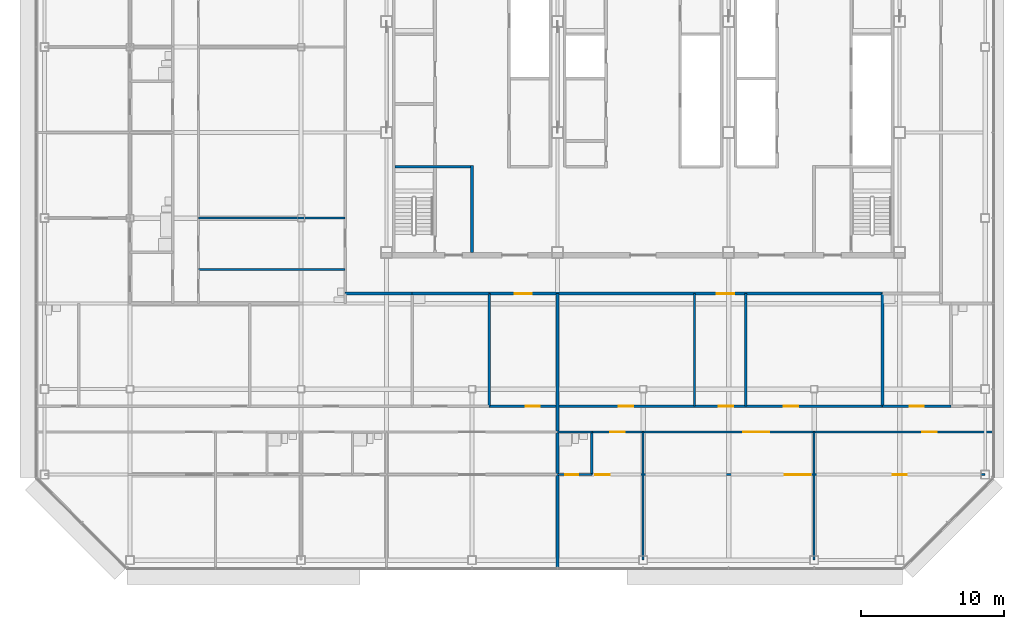
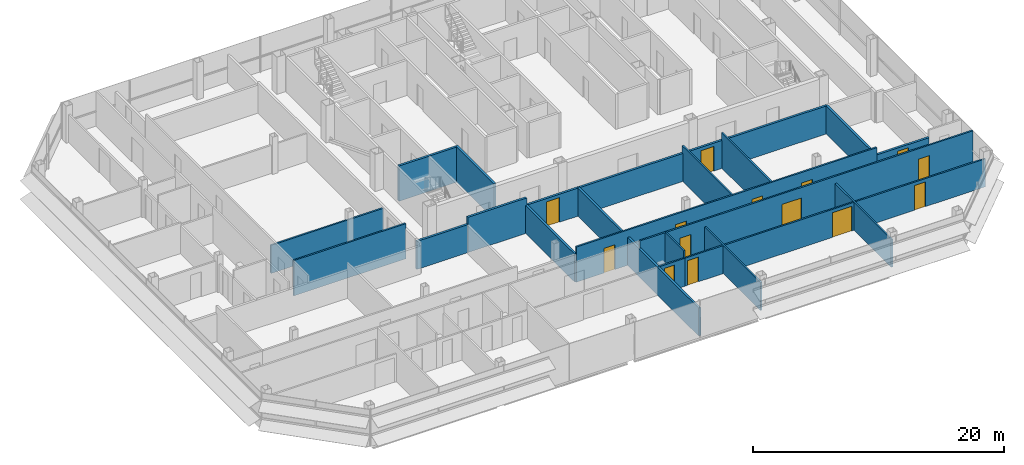
# One storey, part 21 of 27: 21 walls, 14 doors, 14 openings.
"""IFC4 building model written with IfcOpenShell, lengths in metres."""

from ifc_helpers import new_model, si_unit, direction, frame, frame_2d, origin, place, context, subcontext, project, spatial, rectangle, extrude, material, layer, layer_set, type_object, element, fill, save


model = new_model("IFC4")

# Units and contexts
model_context = context("Model", 3, precision=1e-05, world=origin(), true_north=direction((0.0, 1.0)))
body_context = subcontext(model_context, "Body", "Model", "MODEL_VIEW")
ifc_project = project(units=[si_unit("LENGTHUNIT", "METRE"), si_unit("AREAUNIT", "SQUARE_METRE"), si_unit("VOLUMEUNIT", "CUBIC_METRE"), si_unit("PLANEANGLEUNIT", "RADIAN"), si_unit("MASSUNIT", "GRAM", prefix="KILO")], contexts=[model_context])

# Site, building, storey
site_placement = place(None, origin())
site = spatial("IfcSite", under=ifc_project, at=site_placement, CompositionType="ELEMENT")
building_placement = place(site_placement, origin())
building = spatial("IfcBuilding", under=site, at=building_placement, Name="Sorahane Residences", CompositionType="ELEMENT")
storey_placement = place(building_placement, frame((0.0, 0.0, 294.39990234375)))
storey = spatial("IfcBuildingStorey", under=building, at=storey_placement, Name="L69", CompositionType="ELEMENT", Elevation=294.39990234375)

# Wall
ifc_material_1 = material(Name="Concrete blockwork C20 wall", Category="masonry")
ifc_layer_1 = layer(ifc_material_1, 0.199951171875)
ifc_layer_set_1 = layer_set([ifc_layer_1], Name="Corridor wall 200 EI 120")
wall_type_1 = type_object("IfcWallType", Name="Corridor wall 200 EI 120", PredefinedType="SOLIDWALL", material=ifc_layer_set_1)
wall_1_placement = place(storey_placement, frame((3.10009765625, 18.699951171875, 0.0), z_axis=(0.0, 0.0, 1.0), x_axis=(1.0, 0.0, 0.0)))
element("IfcWall", 1, at=wall_1_placement, inside=storey, type_object=wall_type_1, Name="L69 corridor wall", PredefinedType="SOLIDWALL", context=body_context, shape_type="SweptSolid", body=[
    extrude(rectangle(XDim=4.699951171875, YDim=0.199951171875, at=frame_2d((2.35009765625, 0.0))), origin(), (0.0, 0.0, 1.0), 2.72021484375),
])

# Wall, openings, doors
wall_2_placement = place(storey_placement, frame((13.199951171875, 18.699951171875, 0.0), z_axis=(0.0, 0.0, 1.0), x_axis=(1.0, 0.0, 0.0)))
wall_2 = element("IfcWall", 2, at=wall_2_placement, inside=storey, type_object=wall_type_1, Name="L69 corridor wall", PredefinedType="SOLIDWALL", context=body_context, shape_type="SweptSolid", body=[
    extrude(rectangle(XDim=27.60009765625, YDim=0.199951171875, at=frame_2d((13.800048828125, 0.0))), origin(), (0.0, 0.0, 1.0), 2.72021484375),
])
opening_1_placement = place(wall_2_placement, frame((1.800048828125, 0.0, 0.0)))
opening_1 = element("IfcOpeningElement", 3, at=opening_1_placement, cuts=wall_2, Name="Opening L69-42", PredefinedType="OPENING", context=body_context, shape_type="SweptSolid", body=[
    extrude(rectangle(XDim=1.199951171875, YDim=2.39990234375, at=frame_2d((0.60009765625, 1.199951171875))), frame((0.0, 0.10986328125, 0.0), z_axis=(0.0, -1.0, 0.0), x_axis=(1.0, 0.0, 0.0)), (0.0, 0.0, 1.0), 0.219970703125),
])
opening_2_placement = place(wall_2_placement, frame((15.97998046875, 0.0, 0.0)))
opening_2 = element("IfcOpeningElement", 4, at=opening_2_placement, cuts=wall_2, Name="Opening L69-43", PredefinedType="OPENING", context=body_context, shape_type="SweptSolid", body=[
    extrude(rectangle(XDim=1.199951171875, YDim=2.39990234375, at=frame_2d((0.60009765625, 1.199951171875))), frame((0.0, 0.10986328125, 0.0), z_axis=(0.0, -1.0, 0.0), x_axis=(1.0, 0.0, 0.0)), (0.0, 0.0, 1.0), 0.219970703125),
])
ifc_material_2 = material(Name="Timber veneered fire door", Category="wood")
door_type_1 = type_object("IfcDoorType", Name="Flat entrance door 1200x2400 FD60", OperationType="NOTDEFINED", PredefinedType="DOOR", material=ifc_material_2)
door_1_placement = place(opening_1_placement, frame((1.199951171875, 0.0, 0.0), z_axis=(0.0, 0.0, 1.0), x_axis=(-1.0, 0.0, 0.0)))
door_1 = element("IfcDoor", 5, at=door_1_placement, inside=storey, type_object=door_type_1, Name="Flat entrance door L69-42", OperationType="SINGLE_SWING_LEFT", OverallHeight=2.39990234375, OverallWidth=1.199951171875, PredefinedType="DOOR", context=body_context, shape_type="SweptSolid", body=[
    extrude(rectangle(XDim=1.199951171875, YDim=2.39990234375, at=frame_2d((0.60009765625, 1.199951171875))), frame((0.0, 0.02490234375, 0.0), z_axis=(0.0, -1.0, 0.0), x_axis=(1.0, 0.0, 0.0)), (0.0, 0.0, 1.0), 0.050048828125),
])
fill(opening_1, door_1)
door_2_placement = place(opening_2_placement, frame((1.199951171875, 0.0, 0.0), z_axis=(0.0, 0.0, 1.0), x_axis=(-1.0, 0.0, 0.0)))
door_2 = element("IfcDoor", 6, at=door_2_placement, inside=storey, type_object=door_type_1, Name="Flat entrance door L69-43", OperationType="SINGLE_SWING_LEFT", OverallHeight=2.39990234375, OverallWidth=1.199951171875, PredefinedType="DOOR", context=body_context, shape_type="SweptSolid", body=[
    extrude(rectangle(XDim=1.199951171875, YDim=2.39990234375, at=frame_2d((0.60009765625, 1.199951171875))), frame((0.0, 0.02490234375, 0.0), z_axis=(0.0, -1.0, 0.0), x_axis=(1.0, 0.0, 0.0)), (0.0, 0.0, 1.0), 0.050048828125),
])
fill(opening_2, door_2)

# Walls
ifc_material_3 = material(Name="Concrete C30", Category="concrete")
ifc_layer_2 = layer(ifc_material_3, 0.199951171875)
ifc_layer_set_2 = layer_set([ifc_layer_2], Name="Front room wall 200 EI 120")
wall_type_2 = type_object("IfcWallType", Name="Front room wall 200 EI 120", PredefinedType="PARTITIONING", material=ifc_layer_set_2)
wall_3_placement = place(storey_placement, frame((12.0, 21.60009765625, 0.0), z_axis=(0.0, 0.0, 1.0), x_axis=(0.0, 1.0, 0.0)))
element("IfcWall", 7, at=wall_3_placement, inside=storey, type_object=wall_type_2, Name="L69 front room wall", PredefinedType="PARTITIONING", context=body_context, shape_type="SweptSolid", body=[
    extrude(rectangle(XDim=6.099853515625, YDim=0.199951171875, at=frame_2d((3.0498046875, 0.0))), origin(), (0.0, 0.0, 1.0), 3.420166015625),
])
ifc_material_4 = material(Name="Concrete blockwork C20 wall", Category="masonry")
ifc_layer_3 = layer(ifc_material_4, 0.199951171875)
ifc_layer_set_3 = layer_set([ifc_layer_3], Name="Kitchen wall 200 EI 180")
wall_type_3 = type_object("IfcWallType", Name="Kitchen wall 200 EI 180", PredefinedType="SOLIDWALL", material=ifc_layer_set_3)
for number, where, z_axis, x_axis, name in (
    (8, (13.199951171875, 10.800048828125, 0.0), (0.0, 0.0, 1.0), (0.0, 1.0, 0.0), "L69 kitchen wall"),
    (9, (40.800048828125, 10.800048828125, 0.0), (0.0, 0.0, 1.0), (0.0, 1.0, 0.0), "L69 kitchen wall"),
):
    element("IfcWall", number, at=place(storey_placement, frame(where, z_axis=z_axis, x_axis=x_axis)), inside=storey, type_object=wall_type_3, Name=name, PredefinedType="SOLIDWALL", context=body_context, shape_type="SweptSolid", body=[
        extrude(rectangle(XDim=7.89990234375, YDim=0.199951171875, at=frame_2d((3.949951171875, 0.0))), origin(), (0.0, 0.0, 1.0), 2.72021484375),
    ])

# Wall, opening, door
wall_4_placement = place(storey_placement, frame((40.800048828125, 10.800048828125, 0.0), z_axis=(0.0, 0.0, 1.0), x_axis=(1.0, 0.0, 0.0)))
wall_4 = element("IfcWall", 10, at=wall_4_placement, inside=storey, type_object=wall_type_3, Name="L69 kitchen wall", PredefinedType="SOLIDWALL", context=body_context, shape_type="SweptSolid", body=[
    extrude(rectangle(XDim=4.800048828125, YDim=0.199951171875, at=frame_2d((2.39990234375, 0.0))), origin(), (0.0, 0.0, 1.0), 2.72021484375),
])
opening_3_placement = place(wall_4_placement, frame((1.89990234375, 0.0, 0.0)))
opening_3 = element("IfcOpeningElement", 11, at=opening_3_placement, cuts=wall_4, Name="Opening L69-19", PredefinedType="OPENING", context=body_context, shape_type="SweptSolid", body=[
    extrude(rectangle(XDim=1.0, YDim=2.39990234375, at=frame_2d((0.5, 1.199951171875))), frame((0.0, 0.10986328125, 0.0), z_axis=(0.0, -1.0, 0.0), x_axis=(1.0, 0.0, 0.0)), (0.0, 0.0, 1.0), 0.219970703125),
])
ifc_material_5 = material(Name="Steel", Category="steel")
door_type_2 = type_object("IfcDoorType", Name="Kitchen door 1000x2400 FD120", OperationType="NOTDEFINED", PredefinedType="DOOR", material=ifc_material_5)
door_3_placement = place(opening_3_placement, origin())
door_3 = element("IfcDoor", 12, at=door_3_placement, inside=storey, type_object=door_type_2, Name="Kitchen door L69-19", OperationType="SINGLE_SWING_LEFT", OverallHeight=2.39990234375, OverallWidth=1.0, PredefinedType="DOOR", context=body_context, shape_type="SweptSolid", body=[
    extrude(rectangle(XDim=1.0, YDim=2.39990234375, at=frame_2d((0.5, 1.199951171875))), frame((0.0, 0.02490234375, 0.0), z_axis=(0.0, -1.0, 0.0), x_axis=(1.0, 0.0, 0.0)), (0.0, 0.0, 1.0), 0.050048828125),
])
fill(opening_3, door_3)

# Walls
wall_5_placement = place(storey_placement, frame((7.800048828125, 18.699951171875, 0.0), z_axis=(0.0, 0.0, 1.0), x_axis=(1.0, 0.0, 0.0)))
element("IfcWall", 13, at=wall_5_placement, inside=storey, type_object=wall_type_3, Name="L69 kitchen wall", PredefinedType="SOLIDWALL", context=body_context, shape_type="SweptSolid", body=[
    extrude(rectangle(XDim=5.39990234375, YDim=0.199951171875, at=frame_2d((2.699951171875, 0.0))), origin(), (0.0, 0.0, 1.0), 3.420166015625),
])
ifc_material_6 = material(Name="Gypsum board partition on steel studs", Category="steel")
ifc_layer_4 = layer(ifc_material_6, 0.14990234375)
ifc_layer_set_4 = layer_set([ifc_layer_4], Name="Partition 150 EI 90")
wall_type_4 = type_object("IfcWallType", Name="Partition 150 EI 90", PredefinedType="PARTITIONING", material=ifc_layer_set_4)
wall_6_placement = place(storey_placement, frame((24.0, 0.0, 0.0), z_axis=(0.0, 0.0, 1.0), x_axis=(0.0, 1.0, 0.0)))
element("IfcWall", 14, at=wall_6_placement, inside=storey, type_object=wall_type_4, Name="L69 partition", PredefinedType="PARTITIONING", context=body_context, shape_type="SweptSolid", body=[
    extrude(rectangle(XDim=9.0, YDim=0.14990234375, at=frame_2d((4.5, 0.0))), origin(), (0.0, 0.0, 1.0), 2.72021484375),
])
for number, where, z_axis, x_axis, name in (
    (15, (27.60009765625, 10.800048828125, 0.0), (0.0, 0.0, 1.0), (0.0, 1.0, 0.0), "L69 partition"),
    (16, (31.199951171875, 10.800048828125, 0.0), (0.0, 0.0, 1.0), (0.0, 1.0, 0.0), "L69 partition"),
):
    element("IfcWall", number, at=place(storey_placement, frame(where, z_axis=z_axis, x_axis=x_axis)), inside=storey, type_object=wall_type_4, Name=name, PredefinedType="PARTITIONING", context=body_context, shape_type="SweptSolid", body=[
        extrude(rectangle(XDim=7.89990234375, YDim=0.14990234375, at=frame_2d((3.949951171875, 0.0))), origin(), (0.0, 0.0, 1.0), 3.420166015625),
    ])
wall_7_placement = place(storey_placement, frame((36.0, 0.0, 0.0), z_axis=(0.0, 0.0, 1.0), x_axis=(0.0, 1.0, 0.0)))
element("IfcWall", 17, at=wall_7_placement, inside=storey, type_object=wall_type_4, Name="L69 partition", PredefinedType="PARTITIONING", context=body_context, shape_type="SweptSolid", body=[
    extrude(rectangle(XDim=9.0, YDim=0.14990234375, at=frame_2d((4.5, 0.0))), origin(), (0.0, 0.0, 1.0), 2.72021484375),
])

# Wall, openings, doors
wall_8_placement = place(storey_placement, frame((13.199951171875, 10.800048828125, 0.0), z_axis=(0.0, 0.0, 1.0), x_axis=(1.0, 0.0, 0.0)))
wall_8 = element("IfcWall", 18, at=wall_8_placement, inside=storey, type_object=wall_type_4, Name="L69 partition", PredefinedType="PARTITIONING", context=body_context, shape_type="SweptSolid", body=[
    extrude(rectangle(XDim=27.60009765625, YDim=0.14990234375, at=frame_2d((13.800048828125, 0.0))), origin(), (0.0, 0.0, 1.0), 3.420166015625),
])
opening_4_placement = place(wall_8_placement, frame((2.56005859375, 0.0, 0.0)))
opening_4 = element("IfcOpeningElement", 19, at=opening_4_placement, cuts=wall_8, Name="Opening L69-01", PredefinedType="OPENING", context=body_context, shape_type="SweptSolid", body=[
    extrude(rectangle(XDim=1.0, YDim=2.39990234375, at=frame_2d((0.5, 1.199951171875))), frame((0.0, 0.0849609375, 0.0), z_axis=(0.0, -1.0, 0.0), x_axis=(1.0, 0.0, 0.0)), (0.0, 0.0, 1.0), 0.169921875),
])
opening_5_placement = place(wall_8_placement, frame((16.1201171875, 0.0, 0.0)))
opening_5 = element("IfcOpeningElement", 20, at=opening_5_placement, cuts=wall_8, Name="Opening L69-16", PredefinedType="OPENING", context=body_context, shape_type="SweptSolid", body=[
    extrude(rectangle(XDim=1.0, YDim=2.39990234375, at=frame_2d((0.5, 1.199951171875))), frame((0.0, 0.0849609375, 0.0), z_axis=(0.0, -1.0, 0.0), x_axis=(1.0, 0.0, 0.0)), (0.0, 0.0, 1.0), 0.169921875),
])
opening_6_placement = place(wall_8_placement, frame((9.10009765625, 0.0, 0.0)))
opening_6 = element("IfcOpeningElement", 21, at=opening_6_placement, cuts=wall_8, Name="Opening L69-17", PredefinedType="OPENING", context=body_context, shape_type="SweptSolid", body=[
    extrude(rectangle(XDim=1.0, YDim=2.39990234375, at=frame_2d((0.5, 1.199951171875))), frame((0.0, 0.0849609375, 0.0), z_axis=(0.0, -1.0, 0.0), x_axis=(1.0, 0.0, 0.0)), (0.0, 0.0, 1.0), 0.169921875),
])
opening_7_placement = place(wall_8_placement, frame((20.679931640625, 0.0, 0.0)))
opening_7 = element("IfcOpeningElement", 22, at=opening_7_placement, cuts=wall_8, Name="Opening L69-18", PredefinedType="OPENING", context=body_context, shape_type="SweptSolid", body=[
    extrude(rectangle(XDim=1.0, YDim=2.39990234375, at=frame_2d((0.5, 1.199951171875))), frame((0.0, 0.0849609375, 0.0), z_axis=(0.0, -1.0, 0.0), x_axis=(1.0, 0.0, 0.0)), (0.0, 0.0, 1.0), 0.169921875),
])
ifc_material_7 = material(Name="Timber veneered fire door", Category="wood")
door_type_3 = type_object("IfcDoorType", Name="Room door 1000x2400 FD30", OperationType="NOTDEFINED", PredefinedType="DOOR", material=ifc_material_7)
door_4_placement = place(opening_4_placement, frame((1.0, 0.0, 0.0), z_axis=(0.0, 0.0, 1.0), x_axis=(-1.0, 0.0, 0.0)))
door_4 = element("IfcDoor", 23, at=door_4_placement, inside=storey, type_object=door_type_3, Name="Room door L69-01", OperationType="SINGLE_SWING_LEFT", OverallHeight=2.39990234375, OverallWidth=1.0, PredefinedType="DOOR", context=body_context, shape_type="SweptSolid", body=[
    extrude(rectangle(XDim=1.0, YDim=2.39990234375, at=frame_2d((0.5, 1.199951171875))), frame((0.0, 0.02490234375, 0.0), z_axis=(0.0, -1.0, 0.0), x_axis=(1.0, 0.0, 0.0)), (0.0, 0.0, 1.0), 0.050048828125),
])
fill(opening_4, door_4)
door_5_placement = place(opening_5_placement, frame((1.0, 0.0, 0.0), z_axis=(0.0, 0.0, 1.0), x_axis=(-1.0, 0.0, 0.0)))
door_5 = element("IfcDoor", 24, at=door_5_placement, inside=storey, type_object=door_type_3, Name="Room door L69-16", OperationType="SINGLE_SWING_LEFT", OverallHeight=2.39990234375, OverallWidth=1.0, PredefinedType="DOOR", context=body_context, shape_type="SweptSolid", body=[
    extrude(rectangle(XDim=1.0, YDim=2.39990234375, at=frame_2d((0.5, 1.199951171875))), frame((0.0, 0.02490234375, 0.0), z_axis=(0.0, -1.0, 0.0), x_axis=(1.0, 0.0, 0.0)), (0.0, 0.0, 1.0), 0.050048828125),
])
fill(opening_5, door_5)
door_6_placement = place(opening_6_placement, origin())
door_6 = element("IfcDoor", 25, at=door_6_placement, inside=storey, type_object=door_type_3, Name="Room door L69-17", OperationType="SINGLE_SWING_RIGHT", OverallHeight=2.39990234375, OverallWidth=1.0, PredefinedType="DOOR", context=body_context, shape_type="SweptSolid", body=[
    extrude(rectangle(XDim=1.0, YDim=2.39990234375, at=frame_2d((0.5, 1.199951171875))), frame((0.0, 0.02490234375, 0.0), z_axis=(0.0, -1.0, 0.0), x_axis=(1.0, 0.0, 0.0)), (0.0, 0.0, 1.0), 0.050048828125),
])
fill(opening_6, door_6)
door_7_placement = place(opening_7_placement, origin())
door_7 = element("IfcDoor", 26, at=door_7_placement, inside=storey, type_object=door_type_3, Name="Room door L69-18", OperationType="SINGLE_SWING_LEFT", OverallHeight=2.39990234375, OverallWidth=1.0, PredefinedType="DOOR", context=body_context, shape_type="SweptSolid", body=[
    extrude(rectangle(XDim=1.0, YDim=2.39990234375, at=frame_2d((0.5, 1.199951171875))), frame((0.0, 0.02490234375, 0.0), z_axis=(0.0, -1.0, 0.0), x_axis=(1.0, 0.0, 0.0)), (0.0, 0.0, 1.0), 0.050048828125),
])
fill(opening_7, door_7)

# Wall
wall_9_placement = place(storey_placement, frame((-7.199951171875, 24.0, 0.0), z_axis=(0.0, 0.0, 1.0), x_axis=(1.0, 0.0, 0.0)))
element("IfcWall", 27, at=wall_9_placement, inside=storey, type_object=wall_type_4, Name="L69 partition", PredefinedType="PARTITIONING", context=body_context, shape_type="SweptSolid", body=[
    extrude(rectangle(XDim=10.300048828125, YDim=0.14990234375, at=frame_2d((5.14990234375, 0.0))), origin(), (0.0, 0.0, 1.0), 2.72021484375),
])

# Wall, openings, doors
wall_10_placement = place(storey_placement, frame((20.39990234375, 6.0, 0.0), z_axis=(0.0, 0.0, 1.0), x_axis=(1.0, 0.0, 0.0)))
wall_10 = element("IfcWall", 28, at=wall_10_placement, inside=storey, type_object=wall_type_4, Name="L69 partition", PredefinedType="PARTITIONING", context=body_context, shape_type="SweptSolid", body=[
    extrude(rectangle(XDim=27.60009765625, YDim=0.14990234375, at=frame_2d((13.800048828125, 0.0))), origin(), (0.0, 0.0, 1.0), 2.72021484375),
])
opening_8_placement = place(wall_10_placement, frame((0.25, 0.0, 0.0)))
opening_8 = element("IfcOpeningElement", 29, at=opening_8_placement, cuts=wall_10, Name="Opening L69-24", PredefinedType="OPENING", context=body_context, shape_type="SweptSolid", body=[
    extrude(rectangle(XDim=1.0, YDim=2.39990234375, at=frame_2d((0.5, 1.199951171875))), frame((0.0, 0.0849609375, 0.0), z_axis=(0.0, -1.0, 0.0), x_axis=(1.0, 0.0, 0.0)), (0.0, 0.0, 1.0), 0.169921875),
])
opening_9_placement = place(wall_10_placement, frame((13.550048828125, 0.0, 0.0)))
opening_9 = element("IfcOpeningElement", 30, at=opening_9_placement, cuts=wall_10, Name="Opening L69-26", PredefinedType="OPENING", context=body_context, shape_type="SweptSolid", body=[
    extrude(rectangle(XDim=1.800048828125, YDim=2.39990234375, at=frame_2d((0.89990234375, 1.199951171875))), frame((0.0, 0.0849609375, 0.0), z_axis=(0.0, -1.0, 0.0), x_axis=(1.0, 0.0, 0.0)), (0.0, 0.0, 1.0), 0.169921875),
])
opening_10_placement = place(wall_10_placement, frame((21.10009765625, 0.0, 0.0)))
opening_10 = element("IfcOpeningElement", 31, at=opening_10_placement, cuts=wall_10, Name="Opening L69-27", PredefinedType="OPENING", context=body_context, shape_type="SweptSolid", body=[
    extrude(rectangle(XDim=1.0, YDim=2.39990234375, at=frame_2d((0.5, 1.199951171875))), frame((0.0, 0.0849609375, 0.0), z_axis=(0.0, -1.0, 0.0), x_axis=(1.0, 0.0, 0.0)), (0.0, 0.0, 1.0), 0.169921875),
])
ifc_material_8 = material(Name="Timber veneered fire door", Category="wood")
door_type_4 = type_object("IfcDoorType", Name="Double door 1800x2400 FD30", OperationType="NOTDEFINED", PredefinedType="DOOR", material=ifc_material_8)
door_8_placement = place(opening_9_placement, frame((1.800048828125, 0.0, 0.0), z_axis=(0.0, 0.0, 1.0), x_axis=(-1.0, 0.0, 0.0)))
door_8 = element("IfcDoor", 32, at=door_8_placement, inside=storey, type_object=door_type_4, Name="Double door L69-26", OperationType="SINGLE_SWING_RIGHT", OverallHeight=2.39990234375, OverallWidth=1.800048828125, PredefinedType="DOOR", context=body_context, shape_type="SweptSolid", body=[
    extrude(rectangle(XDim=1.800048828125, YDim=2.39990234375, at=frame_2d((0.89990234375, 1.199951171875))), frame((0.0, 0.02490234375, 0.0), z_axis=(0.0, -1.0, 0.0), x_axis=(1.0, 0.0, 0.0)), (0.0, 0.0, 1.0), 0.050048828125),
])
fill(opening_9, door_8)
door_9_placement = place(opening_8_placement, frame((1.0, 0.0, 0.0), z_axis=(0.0, 0.0, 1.0), x_axis=(-1.0, 0.0, 0.0)))
door_9 = element("IfcDoor", 33, at=door_9_placement, inside=storey, type_object=door_type_3, Name="Room door L69-24", OperationType="SINGLE_SWING_RIGHT", OverallHeight=2.39990234375, OverallWidth=1.0, PredefinedType="DOOR", context=body_context, shape_type="SweptSolid", body=[
    extrude(rectangle(XDim=1.0, YDim=2.39990234375, at=frame_2d((0.5, 1.199951171875))), frame((0.0, 0.02490234375, 0.0), z_axis=(0.0, -1.0, 0.0), x_axis=(1.0, 0.0, 0.0)), (0.0, 0.0, 1.0), 0.050048828125),
])
fill(opening_8, door_9)
door_10_placement = place(opening_10_placement, frame((1.0, 0.0, 0.0), z_axis=(0.0, 0.0, 1.0), x_axis=(-1.0, 0.0, 0.0)))
door_10 = element("IfcDoor", 34, at=door_10_placement, inside=storey, type_object=door_type_3, Name="Room door L69-27", OperationType="SINGLE_SWING_RIGHT", OverallHeight=2.39990234375, OverallWidth=1.0, PredefinedType="DOOR", context=body_context, shape_type="SweptSolid", body=[
    extrude(rectangle(XDim=1.0, YDim=2.39990234375, at=frame_2d((0.5, 1.199951171875))), frame((0.0, 0.02490234375, 0.0), z_axis=(0.0, -1.0, 0.0), x_axis=(1.0, 0.0, 0.0)), (0.0, 0.0, 1.0), 0.050048828125),
])
fill(opening_10, door_10)

wall_11_placement = place(storey_placement, frame((20.39990234375, 9.0, 0.0), z_axis=(0.0, 0.0, 1.0), x_axis=(1.0, 0.0, 0.0)))
wall_11 = element("IfcWall", 35, at=wall_11_placement, inside=storey, type_object=wall_type_4, Name="L69 partition", PredefinedType="PARTITIONING", context=body_context, shape_type="SweptSolid", body=[
    extrude(rectangle(XDim=28.2001953125, YDim=0.14990234375, at=frame_2d((14.10009765625, 0.0))), origin(), (0.0, 0.0, 1.0), 3.420166015625),
])
opening_11_placement = place(wall_11_placement, frame((1.300048828125, 0.0, 0.0)))
opening_11 = element("IfcOpeningElement", 36, at=opening_11_placement, cuts=wall_11, Name="Opening L69-21", PredefinedType="OPENING", context=body_context, shape_type="SweptSolid", body=[
    extrude(rectangle(XDim=1.0, YDim=2.39990234375, at=frame_2d((0.5, 1.199951171875))), frame((0.0, 0.0849609375, 0.0), z_axis=(0.0, -1.0, 0.0), x_axis=(1.0, 0.0, 0.0)), (0.0, 0.0, 1.0), 0.169921875),
])
opening_12_placement = place(wall_11_placement, frame((10.639892578125, 0.0, 0.0)))
opening_12 = element("IfcOpeningElement", 37, at=opening_12_placement, cuts=wall_11, Name="Opening L69-22", PredefinedType="OPENING", context=body_context, shape_type="SweptSolid", body=[
    extrude(rectangle(XDim=1.800048828125, YDim=2.39990234375, at=frame_2d((0.89990234375, 1.199951171875))), frame((0.0, 0.0849609375, 0.0), z_axis=(0.0, -1.0, 0.0), x_axis=(1.0, 0.0, 0.0)), (0.0, 0.0, 1.0), 0.169921875),
])
opening_13_placement = place(wall_11_placement, frame((23.199951171875, 0.0, 0.0)))
opening_13 = element("IfcOpeningElement", 38, at=opening_13_placement, cuts=wall_11, Name="Opening L69-23", PredefinedType="OPENING", context=body_context, shape_type="SweptSolid", body=[
    extrude(rectangle(XDim=1.0, YDim=2.39990234375, at=frame_2d((0.5, 1.199951171875))), frame((0.0, 0.0849609375, 0.0), z_axis=(0.0, -1.0, 0.0), x_axis=(1.0, 0.0, 0.0)), (0.0, 0.0, 1.0), 0.169921875),
])
door_11_placement = place(opening_12_placement, frame((1.800048828125, 0.0, 0.0), z_axis=(0.0, 0.0, 1.0), x_axis=(-1.0, 0.0, 0.0)))
door_11 = element("IfcDoor", 39, at=door_11_placement, inside=storey, type_object=door_type_4, Name="Double door L69-22", OperationType="SINGLE_SWING_RIGHT", OverallHeight=2.39990234375, OverallWidth=1.800048828125, PredefinedType="DOOR", context=body_context, shape_type="SweptSolid", body=[
    extrude(rectangle(XDim=1.800048828125, YDim=2.39990234375, at=frame_2d((0.89990234375, 1.199951171875))), frame((0.0, 0.02490234375, 0.0), z_axis=(0.0, -1.0, 0.0), x_axis=(1.0, 0.0, 0.0)), (0.0, 0.0, 1.0), 0.050048828125),
])
fill(opening_12, door_11)
door_12_placement = place(opening_11_placement, frame((1.0, 0.0, 0.0), z_axis=(0.0, 0.0, 1.0), x_axis=(-1.0, 0.0, 0.0)))
door_12 = element("IfcDoor", 40, at=door_12_placement, inside=storey, type_object=door_type_3, Name="Room door L69-21", OperationType="SINGLE_SWING_LEFT", OverallHeight=2.39990234375, OverallWidth=1.0, PredefinedType="DOOR", context=body_context, shape_type="SweptSolid", body=[
    extrude(rectangle(XDim=1.0, YDim=2.39990234375, at=frame_2d((0.5, 1.199951171875))), frame((0.0, 0.02490234375, 0.0), z_axis=(0.0, -1.0, 0.0), x_axis=(1.0, 0.0, 0.0)), (0.0, 0.0, 1.0), 0.050048828125),
])
fill(opening_11, door_12)
door_13_placement = place(opening_13_placement, frame((1.0, 0.0, 0.0), z_axis=(0.0, 0.0, 1.0), x_axis=(-1.0, 0.0, 0.0)))
door_13 = element("IfcDoor", 41, at=door_13_placement, inside=storey, type_object=door_type_3, Name="Room door L69-23", OperationType="SINGLE_SWING_RIGHT", OverallHeight=2.39990234375, OverallWidth=1.0, PredefinedType="DOOR", context=body_context, shape_type="SweptSolid", body=[
    extrude(rectangle(XDim=1.0, YDim=2.39990234375, at=frame_2d((0.5, 1.199951171875))), frame((0.0, 0.02490234375, 0.0), z_axis=(0.0, -1.0, 0.0), x_axis=(1.0, 0.0, 0.0)), (0.0, 0.0, 1.0), 0.050048828125),
])
fill(opening_13, door_13)

# Walls
ifc_material_9 = material(Name="Concrete blockwork C20 wall", Category="masonry")
ifc_layer_5 = layer(ifc_material_9, 0.199951171875)
ifc_layer_set_5 = layer_set([ifc_layer_5], Name="Party wall 200 EI 120")
wall_type_5 = type_object("IfcWallType", Name="Party wall 200 EI 120", PredefinedType="SOLIDWALL", material=ifc_layer_set_5)
wall_12_placement = place(storey_placement, frame((18.0, -0.60009765625, 0.0), z_axis=(0.0, 0.0, 1.0), x_axis=(0.0, 1.0, 0.0)))
element("IfcWall", 42, at=wall_12_placement, inside=storey, type_object=wall_type_5, Name="L69 party wall", PredefinedType="SOLIDWALL", context=body_context, shape_type="SweptSolid", body=[
    extrude(rectangle(XDim=19.300048828125, YDim=0.199951171875, at=frame_2d((9.64990234375, 0.0))), origin(), (0.0, 0.0, 1.0), 2.72021484375),
])
ifc_material_10 = material(Name="Concrete C30", Category="concrete")
ifc_layer_6 = layer(ifc_material_10, 0.199951171875)
ifc_layer_set_6 = layer_set([ifc_layer_6], Name="Stair enclosure wall 200 EI 120")
wall_type_6 = type_object("IfcWallType", Name="Stair enclosure wall 200 EI 120", PredefinedType="SOLIDWALL", material=ifc_layer_set_6)
wall_13_placement = place(storey_placement, frame((6.60009765625, 27.60009765625, 0.0), z_axis=(0.0, 0.0, 1.0), x_axis=(1.0, 0.0, 0.0)))
element("IfcWall", 43, at=wall_13_placement, inside=storey, type_object=wall_type_6, Name="L69 stair enclosure wall", PredefinedType="SOLIDWALL", context=body_context, shape_type="SweptSolid", body=[
    extrude(rectangle(XDim=5.2998046875, YDim=0.199951171875, at=frame_2d((2.64990234375, 0.0))), origin(), (0.0, 0.0, 1.0), 3.420166015625),
])
ifc_material_11 = material(Name="Gypsum board partition on steel studs", Category="steel")
ifc_layer_7 = layer(ifc_material_11, 0.14990234375)
ifc_layer_set_7 = layer_set([ifc_layer_7], Name="Wet wall 150 EI 90")
wall_type_7 = type_object("IfcWallType", Name="Wet wall 150 EI 90", PredefinedType="PARTITIONING", material=ifc_layer_set_7)
wall_14_placement = place(storey_placement, frame((20.39990234375, 6.0, 0.0), z_axis=(0.0, 0.0, 1.0), x_axis=(0.0, 1.0, 0.0)))
element("IfcWall", 44, at=wall_14_placement, inside=storey, type_object=wall_type_7, Name="L69 wet wall", PredefinedType="PARTITIONING", context=body_context, shape_type="SweptSolid", body=[
    extrude(rectangle(XDim=3.0, YDim=0.14990234375, at=frame_2d((1.5, 0.0))), origin(), (0.0, 0.0, 1.0), 3.420166015625),
])
wall_15_placement = place(storey_placement, frame((-7.199951171875, 20.39990234375, 0.0), z_axis=(0.0, 0.0, 1.0), x_axis=(1.0, 0.0, 0.0)))
element("IfcWall", 45, at=wall_15_placement, inside=storey, type_object=wall_type_7, Name="L69 wet wall", PredefinedType="PARTITIONING", context=body_context, shape_type="SweptSolid", body=[
    extrude(rectangle(XDim=10.300048828125, YDim=0.14990234375, at=frame_2d((5.14990234375, 0.0))), origin(), (0.0, 0.0, 1.0), 3.420166015625),
])

# Wall, opening, door
wall_16_placement = place(storey_placement, frame((18.0, 6.0, 0.0), z_axis=(0.0, 0.0, 1.0), x_axis=(1.0, 0.0, 0.0)))
wall_16 = element("IfcWall", 46, at=wall_16_placement, inside=storey, type_object=wall_type_7, Name="L69 wet wall", PredefinedType="PARTITIONING", context=body_context, shape_type="SweptSolid", body=[
    extrude(rectangle(XDim=2.39990234375, YDim=0.14990234375, at=frame_2d((1.199951171875, 0.0))), origin(), (0.0, 0.0, 1.0), 2.72021484375),
])
opening_14_placement = place(wall_16_placement, frame((0.550048828125, 0.0, 0.0)))
opening_14 = element("IfcOpeningElement", 47, at=opening_14_placement, cuts=wall_16, Name="Opening L69-25", PredefinedType="OPENING", context=body_context, shape_type="SweptSolid", body=[
    extrude(rectangle(XDim=0.89990234375, YDim=2.39990234375, at=frame_2d((0.449951171875, 1.199951171875))), frame((0.0, 0.0849609375, 0.0), z_axis=(0.0, -1.0, 0.0), x_axis=(1.0, 0.0, 0.0)), (0.0, 0.0, 1.0), 0.169921875),
])
ifc_material_12 = material(Name="Timber veneered fire door", Category="wood")
door_type_5 = type_object("IfcDoorType", Name="Bathroom door 900x2400 FD30", OperationType="NOTDEFINED", PredefinedType="DOOR", material=ifc_material_12)
door_14_placement = place(opening_14_placement, frame((0.89990234375, 0.0, 0.0), z_axis=(0.0, 0.0, 1.0), x_axis=(-1.0, 0.0, 0.0)))
door_14 = element("IfcDoor", 48, at=door_14_placement, inside=storey, type_object=door_type_5, Name="Bathroom door L69-25", OperationType="SINGLE_SWING_LEFT", OverallHeight=2.39990234375, OverallWidth=0.89990234375, PredefinedType="DOOR", context=body_context, shape_type="SweptSolid", body=[
    extrude(rectangle(XDim=0.89990234375, YDim=2.39990234375, at=frame_2d((0.449951171875, 1.199951171875))), frame((0.0, 0.02490234375, 0.0), z_axis=(0.0, -1.0, 0.0), x_axis=(1.0, 0.0, 0.0)), (0.0, 0.0, 1.0), 0.050048828125),
])
fill(opening_14, door_14)

# Wall
wall_17_placement = place(storey_placement, frame((18.0, 9.0, 0.0), z_axis=(0.0, 0.0, 1.0), x_axis=(1.0, 0.0, 0.0)))
element("IfcWall", 49, at=wall_17_placement, inside=storey, type_object=wall_type_7, Name="L69 wet wall", PredefinedType="PARTITIONING", context=body_context, shape_type="SweptSolid", body=[
    extrude(rectangle(XDim=2.39990234375, YDim=0.14990234375, at=frame_2d((1.199951171875, 0.0))), origin(), (0.0, 0.0, 1.0), 3.420166015625),
])

save(model, "model.ifc")
